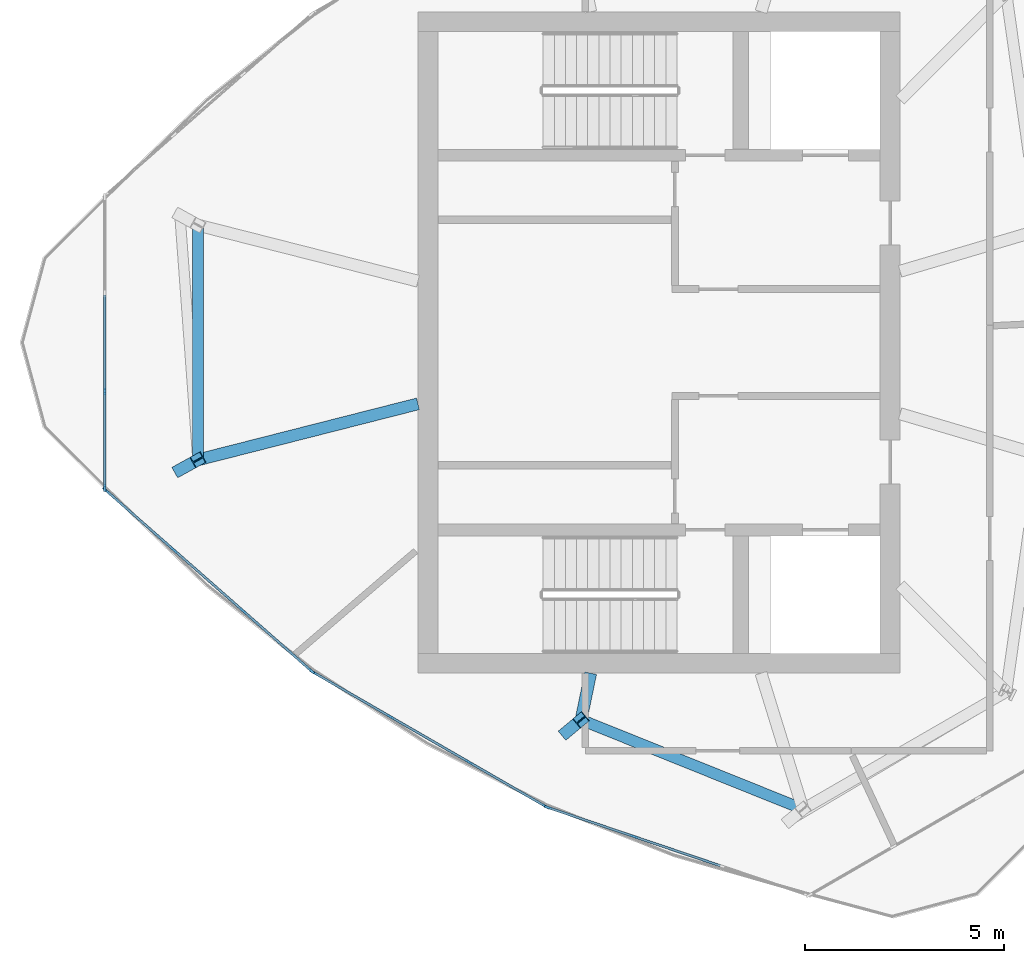
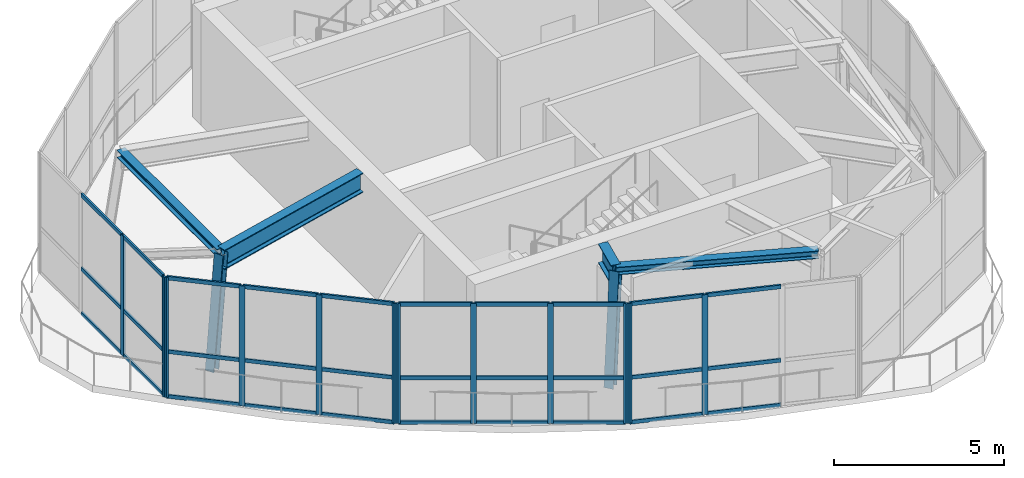
# One storey, part 1 of 10: 46 members, 2 beams, 4 elements without a shape of their own.
"""IFC4 building model written with IfcOpenShell, lengths in metres."""

import ifcopenshell
import ifcopenshell.guid

model = None  # the IFC model being written
_history = None  # IfcOwnerHistory: only IFC2X3 demands one
_inside = {}  # id of a spatial element -> (the spatial element, [elements in it])
_under = {}  # id of a project, library or spatial element -> (it, [spatial elements below it])
_declared = {}  # id of a project -> (the project, [libraries it declares])
_typed = {}  # id of a type object -> (the type object, [elements of that type])
_made_of = {}  # id of a material, layer set ... -> (it, [elements and type objects made of it])


def new_model(schema):
    """Start an empty IFC model of exactly this schema.

    Asked for "IFC4X3", IfcOpenShell would pick the latest addendum, in which some entities
    have other attributes; the version numbers below select the first issue.
    IFC2X3 requires an IfcOwnerHistory on every rooted entity: one is made here for all.
    """
    global model, _history
    if schema == "IFC4X3":
        model = ifcopenshell.file(schema_version=(4, 3, 0, 0))
    else:
        model = ifcopenshell.file(schema=schema)
    _inside.clear()
    _under.clear()
    _declared.clear()
    _typed.clear()
    _made_of.clear()
    _history = None
    if model.schema == "IFC2X3":
        org = make("IfcOrganization", Name="unknown")
        user = make(
            "IfcPersonAndOrganization",
            ThePerson=make("IfcPerson", FamilyName="unknown"),
            TheOrganization=org,
        )
        app = make(
            "IfcApplication",
            ApplicationDeveloper=org,
            Version="unknown",
            ApplicationFullName="unknown",
            ApplicationIdentifier="unknown",
        )
        _history = make(
            "IfcOwnerHistory",
            OwningUser=user,
            OwningApplication=app,
            ChangeAction="ADDED",
            CreationDate=0,
        )
    return model


def make(cls, **values):
    """One entity of the class cls with the attributes given. An attribute that is None is left unset."""
    return model.create_entity(
        cls, **{name: value for name, value in values.items() if value is not None}
    )


def rooted(cls, **values):
    """An entity with a GlobalId (a new one), such as an element, a storey or a relation."""
    return make(cls, GlobalId=ifcopenshell.guid.new(), OwnerHistory=_history, **values)


def si_unit(unit_type, name, prefix=None):
    """IfcSIUnit, for example si_unit("LENGTHUNIT", "METRE", prefix="MILLI")."""
    return make("IfcSIUnit", UnitType=unit_type, Prefix=prefix, Name=name)


def assignment(units):
    """IfcUnitAssignment: the units of a project."""
    return None if units is None else make("IfcUnitAssignment", Units=units)


def point(xyz):
    """IfcCartesianPoint."""
    return None if xyz is None else make("IfcCartesianPoint", Coordinates=xyz)


def direction(xyz):
    """IfcDirection."""
    return None if xyz is None else make("IfcDirection", DirectionRatios=xyz)


def frame(location, z_axis=None, x_axis=None):
    """IfcAxis2Placement3D, a coordinate frame: its origin and axes. An axis left out is left unset."""
    return make(
        "IfcAxis2Placement3D",
        Location=point(location),
        Axis=direction(z_axis),
        RefDirection=direction(x_axis),
    )


def frame_2d(location, x_axis=None):
    """IfcAxis2Placement2D, a coordinate frame in the plane: its origin and x axis."""
    return make(
        "IfcAxis2Placement2D", Location=point(location), RefDirection=direction(x_axis)
    )


def origin():
    """The frame at (0, 0, 0) with its axes left unset."""
    return frame((0.0, 0.0, 0.0))


def origin_2d():
    """The frame at (0, 0) in the plane with its x axis left unset."""
    return frame_2d((0.0, 0.0))


def place(relative_to, where):
    """IfcLocalPlacement: puts the frame where relative to a parent placement (None: the world)."""
    return make(
        "IfcLocalPlacement", PlacementRelTo=relative_to, RelativePlacement=where
    )


def context(
    kind, dimensions, precision=None, world=None, true_north=None, identifier=None
):
    """IfcGeometricRepresentationContext, for example the 3D "Model" context."""
    return make(
        "IfcGeometricRepresentationContext",
        ContextIdentifier=identifier,
        ContextType=kind,
        CoordinateSpaceDimension=dimensions,
        Precision=precision,
        WorldCoordinateSystem=world,
        TrueNorth=true_north,
    )


def subcontext(parent, identifier, kind, view, scale=None):
    """IfcGeometricRepresentationSubContext, for example "Body" below "Model"."""
    return make(
        "IfcGeometricRepresentationSubContext",
        ContextIdentifier=identifier,
        ContextType=kind,
        ParentContext=parent,
        TargetScale=scale,
        TargetView=view,
    )


def project(units=None, contexts=None):
    """IfcProject with its units and contexts."""
    return rooted(
        "IfcProject",
        Name="project",
        RepresentationContexts=contexts,
        UnitsInContext=assignment(units),
    )


def spatial(cls, under=None, at=None, **own):
    """A site, building, storey or space (cls), placed at a placement, below another one or the project."""
    s = rooted(cls, ObjectPlacement=at, **own)
    if under is not None:
        _under.setdefault(under.id(), (under, []))[1].append(s)
    return s


def profile(cls, at=None, kind="AREA", **sizes):
    """A parametric profile (cls). Its sizes go by their IFC names, for example OverallWidth=200.0."""
    return make(cls, ProfileType=kind, Position=at, **sizes)


def rectangle(**sizes):
    """IfcRectangleProfileDef."""
    return profile("IfcRectangleProfileDef", **sizes)


def i_section(**sizes):
    """IfcIShapeProfileDef."""
    return profile("IfcIShapeProfileDef", **sizes)


def extrude(swept, where, along, depth):
    """IfcExtrudedAreaSolid: the profile swept, set in the frame where, extruded along a direction by depth."""
    return make(
        "IfcExtrudedAreaSolid",
        SweptArea=swept,
        Position=where,
        ExtrudedDirection=direction(along),
        Depth=depth,
    )


def shape(context_of_items, identifier, shape_type, items):
    """IfcShapeRepresentation: the items that make up one representation, for example the "Body"."""
    return make(
        "IfcShapeRepresentation",
        ContextOfItems=context_of_items,
        RepresentationIdentifier=identifier,
        RepresentationType=shape_type,
        Items=items,
    )


def source(mapping_origin, context_of_items, identifier, shape_type, items):
    """IfcRepresentationMap: a shape defined once, which mapped items show again and again."""
    return make(
        "IfcRepresentationMap",
        MappingOrigin=mapping_origin,
        MappedRepresentation=shape(context_of_items, identifier, shape_type, items),
    )


def transform(
    local_origin,
    x_axis=None,
    y_axis=None,
    z_axis=None,
    scale=None,
    scale2=None,
    scale3=None,
    uniform=True,
):
    """IfcCartesianTransformationOperator3D, or its non-uniform kind. x_axis, y_axis, z_axis: its Axis1, 2, 3."""
    if uniform:
        return make(
            "IfcCartesianTransformationOperator3D",
            Axis1=direction(x_axis),
            Axis2=direction(y_axis),
            LocalOrigin=point(local_origin),
            Scale=scale,
            Axis3=direction(z_axis),
        )
    return make(
        "IfcCartesianTransformationOperator3DnonUniform",
        Axis1=direction(x_axis),
        Axis2=direction(y_axis),
        LocalOrigin=point(local_origin),
        Scale=scale,
        Axis3=direction(z_axis),
        Scale2=scale2,
        Scale3=scale3,
    )


def mapped(mapping_source, mapping_target):
    """IfcMappedItem: shows the shape of a source again, moved by a transform."""
    return make(
        "IfcMappedItem", MappingSource=mapping_source, MappingTarget=mapping_target
    )


def material(Name=None, Category=None):
    """IfcMaterial."""
    return make("IfcMaterial", Name=Name, Category=Category)


def layer(
    of_material, thickness, ventilated=None, Name=None, Category=None, Priority=None
):
    """IfcMaterialLayer: one layer of a wall or slab, of a material (None: an air gap)."""
    return make(
        "IfcMaterialLayer",
        Material=of_material,
        LayerThickness=thickness,
        IsVentilated=ventilated,
        Name=Name,
        Category=Category,
        Priority=Priority,
    )


def layer_set(layers, Name=None):
    """IfcMaterialLayerSet."""
    return make("IfcMaterialLayerSet", MaterialLayers=layers, LayerSetName=Name)


def material_profile(
    of_material, cross_section, Name=None, Category=None, Priority=None
):
    """IfcMaterialProfile: a cross section and its material."""
    return make(
        "IfcMaterialProfile",
        Name=Name,
        Material=of_material,
        Profile=cross_section,
        Priority=Priority,
        Category=Category,
    )


def profile_set(profiles, Name=None, composite=None):
    """IfcMaterialProfileSet."""
    return make(
        "IfcMaterialProfileSet",
        Name=Name,
        MaterialProfiles=profiles,
        CompositeProfile=composite,
    )


def made_of(thing, what):
    """Note that an element or type object is made of a material, layer set ...; save() writes the relation."""
    if what is not None:
        _made_of.setdefault(what.id(), (what, []))[1].append(thing)
    return thing


def type_object(cls, material=None, **own):
    """A type object (cls), such as IfcWallType, which elements share."""
    return made_of(rooted(cls, **own), material)


def element(
    cls,
    number,
    at=None,
    inside=None,
    cuts=None,
    type_object=None,
    material=None,
    context=None,
    identifier="Body",
    shape_type=None,
    held_by="IfcProductDefinitionShape",
    body=None,
    shapes=None,
    **own,
):
    """One element of the class cls, such as IfcWall. Its Tag is "e" and its number.

    at: its placement. inside: the storey or other place that contains it. cuts: it is an
    opening in that element (IfcRelVoidsElement). A single representation is given by context,
    identifier, shape_type and body (its items); several are given by shapes. held_by: the class
    of the entity that holds the representations. save() writes the other relations.
    """
    e = rooted(cls, Tag="e%d" % number, ObjectPlacement=at, **own)
    if body is not None:
        shapes = [shape(context, identifier, shape_type, body)]
    if shapes is not None:
        e.Representation = make(held_by, Representations=shapes)
    if inside is not None:
        _inside.setdefault(inside.id(), (inside, []))[1].append(e)
    if cuts is not None:
        rooted(
            "IfcRelVoidsElement", RelatingBuildingElement=cuts, RelatedOpeningElement=e
        )
    if type_object is not None:
        _typed.setdefault(type_object.id(), (type_object, []))[1].append(e)
    return made_of(e, material)


def aggregate(whole, parts):
    """IfcRelAggregates: a whole, such as a stair, and the parts it consists of."""
    return rooted("IfcRelAggregates", RelatingObject=whole, RelatedObjects=parts)


def save(model, path):
    """Write the relations noted so far, then the file.

    IfcRelAggregates (storeys below a building ...), IfcRelContainedInSpatialStructure (elements
    in a storey), IfcRelDefinesByType, IfcRelAssociatesMaterial and IfcRelDeclares: one each for
    every whole, place, type object, material and project.
    """
    for whole, parts in _under.values():
        aggregate(whole, parts)
    for where, things in _inside.values():
        rooted(
            "IfcRelContainedInSpatialStructure",
            RelatedElements=things,
            RelatingStructure=where,
        )
    for kind, things in _typed.values():
        rooted("IfcRelDefinesByType", RelatedObjects=things, RelatingType=kind)
    for what, things in _made_of.values():
        rooted("IfcRelAssociatesMaterial", RelatedObjects=things, RelatingMaterial=what)
    for by, libraries in _declared.values():
        rooted("IfcRelDeclares", RelatingContext=by, RelatedDefinitions=libraries)
    model.write(path)


model = new_model("IFC4")

# Units and contexts
model_context = context("Model", 3, precision=1e-05, world=origin(), true_north=direction((0.0, 1.0)))
body_context = subcontext(model_context, "Body", "Model", "MODEL_VIEW")
ifc_project = project(units=[si_unit("LENGTHUNIT", "METRE"), si_unit("AREAUNIT", "SQUARE_METRE"), si_unit("VOLUMEUNIT", "CUBIC_METRE"), si_unit("PLANEANGLEUNIT", "RADIAN"), si_unit("MASSUNIT", "GRAM", prefix="KILO")], contexts=[model_context])

# Site, building, storey
site_placement = place(None, origin())
site = spatial("IfcSite", under=ifc_project, at=site_placement, CompositionType="ELEMENT")
building_placement = place(site_placement, origin())
building = spatial("IfcBuilding", under=site, at=building_placement, Name="Qafzar Sky-Pleat Residences", CompositionType="ELEMENT")
storey_placement = place(building_placement, frame((0.0, 0.0, 270.39990234375)))
storey = spatial("IfcBuildingStorey", under=building, at=storey_placement, Name="L80 Crown", CompositionType="ELEMENT", Elevation=270.39990234375)

# Members
ifc_material_1 = material(Name="Steel S460", Category="steel")
ifc_material_profile_1 = material_profile(ifc_material_1, i_section(OverallWidth=0.300048828125, OverallDepth=0.300048828125, WebThickness=0.010986328125, FlangeThickness=0.01904296875, FilletRadius=0.027099609375, at=origin_2d()), Name="HEB 300")
ifc_profile_set_1 = profile_set([ifc_material_profile_1], Name="Steel S460")
member_type_1 = type_object("IfcMemberType", Name="MEM-CROWN-RIB", PredefinedType="CHORD", material=ifc_profile_set_1)
shared_shape_1 = source(origin(), body_context, "Body", "SweptSolid", [
    extrude(i_section(OverallWidth=0.300048828125, OverallDepth=0.300048828125, WebThickness=0.010986328125, FlangeThickness=0.01904296875, FilletRadius=0.027099609375, at=origin_2d()), origin(), (0.0, 0.0, 1.0), 3.929931640625),
])
member_1_placement = place(storey_placement, frame((18.325927734375, 22.807373046875, 0.0), z_axis=(0.114989295825, 0.063178883768, 0.991355582267), x_axis=(-0.481537005697, 0.876425759631, 0.0)))
element("IfcMember", 1, at=member_1_placement, inside=storey, type_object=member_type_1, Name="L80 Crown CROWN FRAME Inclined Rib 2", PredefinedType="CHORD", context=body_context, shape_type="MappedRepresentation", body=[
    mapped(shared_shape_1, transform((0.0, 0.0, 0.0), x_axis=(1.0, 0.0, 0.0), y_axis=(0.0, 1.0, 0.0), z_axis=(0.0, 0.0, 1.0), scale=1.0)),
])
shared_shape_2 = source(origin(), body_context, "Body", "SweptSolid", [
    extrude(i_section(OverallWidth=0.300048828125, OverallDepth=0.300048828125, WebThickness=0.010986328125, FlangeThickness=0.01904296875, FilletRadius=0.027099609375, at=origin_2d()), origin(), (0.0, 0.0, 1.0), 3.924560546875),
])
member_2_placement = place(storey_placement, frame((28.029541015625, 16.226806640625, 0.0), z_axis=(0.092503281435, 0.077200115844, 0.992715107691), x_axis=(-0.640742862773, 0.767755549511, 0.0)))
element("IfcMember", 2, at=member_2_placement, inside=storey, type_object=member_type_1, Name="L80 Crown CROWN FRAME Inclined Rib 4", PredefinedType="CHORD", context=body_context, shape_type="MappedRepresentation", body=[
    mapped(shared_shape_2, transform((0.0, 0.0, 0.0), x_axis=(1.0, 0.0, 0.0), y_axis=(0.0, 1.0, 0.0), z_axis=(0.0, 0.0, 1.0), scale=1.0)),
])
ifc_material_2 = material(Name="Steel S355", Category="steel")
ifc_material_profile_2 = material_profile(ifc_material_2, i_section(OverallWidth=0.280029296875, OverallDepth=0.280029296875, WebThickness=0.010498046875, FlangeThickness=0.01806640625, FilletRadius=0.02392578125, at=origin_2d()), Name="HEB 280")
ifc_profile_set_2 = profile_set([ifc_material_profile_2], Name="Steel S355")
member_type_2 = type_object("IfcMemberType", Name="MEM-CROWN-RING", PredefinedType="PURLIN", material=ifc_profile_set_2)
shared_shape_3 = source(origin(), body_context, "Body", "SweptSolid", [
    extrude(i_section(OverallWidth=0.280029296875, OverallDepth=0.280029296875, WebThickness=0.010498046875, FlangeThickness=0.01806640625, FilletRadius=0.02392578125, at=origin_2d()), origin(), (0.0, 0.0, 1.0), 5.888671875),
])
member_3_placement = place(storey_placement, frame((18.77783203125, 28.9443359375, 3.906005859375), z_axis=(0.0, -1.0, 0.0), x_axis=(1.0, 0.0, 0.0)))
element("IfcMember", 3, at=member_3_placement, inside=storey, type_object=member_type_2, Name="L80 Crown CROWN FRAME Ring Beam 1", PredefinedType="PURLIN", context=body_context, shape_type="MappedRepresentation", body=[
    mapped(shared_shape_3, transform((0.0, 0.0, 0.0), x_axis=(1.0, 0.0, 0.0), y_axis=(0.0, 1.0, 0.0), z_axis=(0.0, 0.0, 1.0), scale=1.0)),
])
shared_shape_4 = source(origin(), body_context, "Body", "SweptSolid", [
    extrude(i_section(OverallWidth=0.280029296875, OverallDepth=0.280029296875, WebThickness=0.010498046875, FlangeThickness=0.01806640625, FilletRadius=0.02392578125, at=origin_2d()), origin(), (0.0, 0.0, 1.0), 6.00244140625),
])
member_4_placement = place(storey_placement, frame((28.392578125, 16.52978515625, 3.906005859375), z_axis=(0.927725846294, -0.373262312747, 0.0), x_axis=(0.373262312747, 0.927725846294, 0.0)))
element("IfcMember", 4, at=member_4_placement, inside=storey, type_object=member_type_2, Name="L80 Crown CROWN FRAME Ring Beam 4", PredefinedType="PURLIN", context=body_context, shape_type="MappedRepresentation", body=[
    mapped(shared_shape_4, transform((0.0, 0.0, 0.0), x_axis=(1.0, 0.0, 0.0), y_axis=(0.0, 1.0, 0.0), z_axis=(0.0, 0.0, 1.0), scale=1.0)),
])

# Beams
ifc_material_profile_3 = material_profile(ifc_material_1, i_section(OverallWidth=0.300048828125, OverallDepth=0.699951171875, WebThickness=0.01708984375, FlangeThickness=0.031982421875, FilletRadius=0.027099609375, at=origin_2d()), Name="HEB 700")
ifc_profile_set_3 = profile_set([ifc_material_profile_3], Name="Steel S460")
beam_type = type_object("IfcBeamType", Name="BM-CHORD-HEB700", PredefinedType="BEAM", material=ifc_profile_set_3)
shared_shape_5 = source(origin(), body_context, "Body", "SweptSolid", [
    extrude(i_section(OverallWidth=0.300048828125, OverallDepth=0.699951171875, WebThickness=0.01708984375, FlangeThickness=0.031982421875, FilletRadius=0.027099609375, at=origin_2d()), origin(), (0.0, 0.0, 1.0), 5.6982421875),
])
beam_1_placement = place(storey_placement, frame((18.77783203125, 23.0556640625, 3.697998046875), z_axis=(0.969123426461, 0.246576122697, 0.0), x_axis=(-0.246576122697, 0.969123426461, 0.0)))
element("IfcBeam", 5, at=beam_1_placement, inside=storey, type_object=beam_type, Name="L81 Crown Crown Rib Base Transfer Beam 2", PredefinedType="BEAM", context=body_context, shape_type="MappedRepresentation", body=[
    mapped(shared_shape_5, transform((0.0, 0.0, 0.0), x_axis=(1.0, 0.0, 0.0), y_axis=(0.0, 1.0, 0.0), z_axis=(0.0, 0.0, 1.0), scale=1.0)),
])
shared_shape_6 = source(origin(), body_context, "Body", "SweptSolid", [
    extrude(i_section(OverallWidth=0.300048828125, OverallDepth=0.699951171875, WebThickness=0.01708984375, FlangeThickness=0.031982421875, FilletRadius=0.027099609375, at=origin_2d()), origin(), (0.0, 0.0, 1.0), 1.19482421875),
])
beam_2_placement = place(storey_placement, frame((28.392578125, 16.52978515625, 3.697998046875), z_axis=(0.202477234952, 0.979286969854, 0.0), x_axis=(-0.979286969854, 0.202477234952, 0.0)))
element("IfcBeam", 6, at=beam_2_placement, inside=storey, type_object=beam_type, Name="L81 Crown Crown Rib Base Transfer Beam 4", PredefinedType="BEAM", context=body_context, shape_type="MappedRepresentation", body=[
    mapped(shared_shape_6, transform((0.0, 0.0, 0.0), x_axis=(1.0, 0.0, 0.0), y_axis=(0.0, 1.0, 0.0), z_axis=(0.0, 0.0, 1.0), scale=1.0)),
])

# Curtain wall, members
ifc_material_3 = material(Name="Anodised bronze aluminium framing", Category="aluminium")
ifc_layer = layer(ifc_material_3, 0.179931640625)
ifc_layer_set = layer_set([ifc_layer], Name="Anodised bronze aluminium framing")
curtain_wall_type = type_object("IfcCurtainWallType", Name="CW-SYS-06", PredefinedType="NOTDEFINED", material=ifc_layer_set)
curtain_wall_1_placement = place(storey_placement, origin())
curtain_wall_1 = element("IfcCurtainWall", 7, at=curtain_wall_1_placement, inside=storey, type_object=curtain_wall_type, Name="L80 Crown CW-06 Curtain Wall CW-CROWN-05-01", PredefinedType="NOTDEFINED")
ifc_material_4 = material(Name="Anodised bronze aluminium", Category="aluminium")
ifc_material_profile_4 = material_profile(ifc_material_4, rectangle(XDim=0.06005859375, YDim=0.179931640625, at=origin_2d()), Name="ALU MULLION 60x180")
ifc_profile_set_4 = profile_set([ifc_material_profile_4], Name="Anodised bronze aluminium")
member_type_3 = type_object("IfcMemberType", Name="CWM-06", PredefinedType="MULLION", material=ifc_profile_set_4)
shared_shape_7 = source(origin(), body_context, "Body", "SweptSolid", [
    extrude(rectangle(XDim=0.06005859375, YDim=0.179931640625, at=origin_2d()), origin(), (0.0, 0.0, 1.0), 4.300048828125),
])
member_5_placement = place(storey_placement, frame((16.438720703125, 24.772216796875, 0.0), z_axis=(0.0, 0.0, 1.0), x_axis=(1.0, 0.0, 0.0)))
member_5 = element("IfcMember", 8, at=member_5_placement, type_object=member_type_3, Name="CW-06 mullion 3", PredefinedType="MULLION", context=body_context, shape_type="MappedRepresentation", body=[
    mapped(shared_shape_7, transform((0.0, 0.0, 0.0), x_axis=(1.0, 0.0, 0.0), y_axis=(0.0, 1.0, 0.0), z_axis=(0.0, 0.0, 1.0), scale=1.0)),
])
member_6_placement = place(storey_placement, frame((16.438720703125, 22.346435546875, 0.0), z_axis=(0.0, 0.0, 1.0), x_axis=(1.0, 0.0, 0.0)))
member_6 = element("IfcMember", 9, at=member_6_placement, type_object=member_type_3, Name="CW-06 mullion 4", PredefinedType="MULLION", context=body_context, shape_type="MappedRepresentation", body=[
    mapped(shared_shape_7, transform((0.0, 0.0, 0.0), x_axis=(1.0, 0.0, 0.0), y_axis=(0.0, 1.0, 0.0), z_axis=(0.0, 0.0, 1.0), scale=1.0)),
])

curtain_wall_2_placement = place(storey_placement, origin())
curtain_wall_2 = element("IfcCurtainWall", 10, at=curtain_wall_2_placement, inside=storey, type_object=curtain_wall_type, Name="L80 Crown CW-06 Curtain Wall CW-CROWN-05-02", PredefinedType="NOTDEFINED")
member_7_placement = place(storey_placement, frame((16.46142578125, 22.296630859375, 0.0), z_axis=(0.0, 0.0, 1.0), x_axis=(0.660131871965, 0.751149726497, 0.0)))
member_7 = element("IfcMember", 11, at=member_7_placement, type_object=member_type_3, Name="CW-06 mullion 1", PredefinedType="MULLION", context=body_context, shape_type="MappedRepresentation", body=[
    mapped(shared_shape_7, transform((0.0, 0.0, 0.0), x_axis=(1.0, 0.0, 0.0), y_axis=(0.0, 1.0, 0.0), z_axis=(0.0, 0.0, 1.0), scale=1.0)),
])
member_8_placement = place(storey_placement, frame((18.174560546875, 20.791015625, 0.0), z_axis=(0.0, 0.0, 1.0), x_axis=(0.660131871965, 0.751149726497, 0.0)))
member_8 = element("IfcMember", 12, at=member_8_placement, type_object=member_type_3, Name="CW-06 mullion 2", PredefinedType="MULLION", context=body_context, shape_type="MappedRepresentation", body=[
    mapped(shared_shape_7, transform((0.0, 0.0, 0.0), x_axis=(1.0, 0.0, 0.0), y_axis=(0.0, 1.0, 0.0), z_axis=(0.0, 0.0, 1.0), scale=1.0)),
])
member_9_placement = place(storey_placement, frame((19.910400390625, 19.265380859375, 0.0), z_axis=(0.0, 0.0, 1.0), x_axis=(0.660131871965, 0.751149726497, 0.0)))
member_9 = element("IfcMember", 13, at=member_9_placement, type_object=member_type_3, Name="CW-06 mullion 3", PredefinedType="MULLION", context=body_context, shape_type="MappedRepresentation", body=[
    mapped(shared_shape_7, transform((0.0, 0.0, 0.0), x_axis=(1.0, 0.0, 0.0), y_axis=(0.0, 1.0, 0.0), z_axis=(0.0, 0.0, 1.0), scale=1.0)),
])
member_10_placement = place(storey_placement, frame((21.623779296875, 17.759765625, 0.0), z_axis=(0.0, 0.0, 1.0), x_axis=(0.660131871965, 0.751149726497, 0.0)))
member_10 = element("IfcMember", 14, at=member_10_placement, type_object=member_type_3, Name="CW-06 mullion 4", PredefinedType="MULLION", context=body_context, shape_type="MappedRepresentation", body=[
    mapped(shared_shape_7, transform((0.0, 0.0, 0.0), x_axis=(1.0, 0.0, 0.0), y_axis=(0.0, 1.0, 0.0), z_axis=(0.0, 0.0, 1.0), scale=1.0)),
])

curtain_wall_3_placement = place(storey_placement, origin())
curtain_wall_3 = element("IfcCurtainWall", 15, at=curtain_wall_3_placement, inside=storey, type_object=curtain_wall_type, Name="L80 Crown CW-06 Curtain Wall CW-CROWN-05-03", PredefinedType="NOTDEFINED")
member_11_placement = place(storey_placement, frame((21.67236328125, 17.72509765625, 0.0), z_axis=(0.0, 0.0, 1.0), x_axis=(0.500002592159, 0.866023907196, 0.0)))
member_11 = element("IfcMember", 16, at=member_11_placement, type_object=member_type_3, Name="CW-06 mullion 1", PredefinedType="MULLION", context=body_context, shape_type="MappedRepresentation", body=[
    mapped(shared_shape_7, transform((0.0, 0.0, 0.0), x_axis=(1.0, 0.0, 0.0), y_axis=(0.0, 1.0, 0.0), z_axis=(0.0, 0.0, 1.0), scale=1.0)),
])
member_12_placement = place(storey_placement, frame((23.608642578125, 16.60693359375, 0.0), z_axis=(0.0, 0.0, 1.0), x_axis=(0.500002592159, 0.866023907196, 0.0)))
member_12 = element("IfcMember", 17, at=member_12_placement, type_object=member_type_3, Name="CW-06 mullion 2", PredefinedType="MULLION", context=body_context, shape_type="MappedRepresentation", body=[
    mapped(shared_shape_7, transform((0.0, 0.0, 0.0), x_axis=(1.0, 0.0, 0.0), y_axis=(0.0, 1.0, 0.0), z_axis=(0.0, 0.0, 1.0), scale=1.0)),
])
member_13_placement = place(storey_placement, frame((25.571044921875, 15.47412109375, 0.0), z_axis=(0.0, 0.0, 1.0), x_axis=(0.500002592159, 0.866023907196, 0.0)))
member_13 = element("IfcMember", 18, at=member_13_placement, type_object=member_type_3, Name="CW-06 mullion 3", PredefinedType="MULLION", context=body_context, shape_type="MappedRepresentation", body=[
    mapped(shared_shape_7, transform((0.0, 0.0, 0.0), x_axis=(1.0, 0.0, 0.0), y_axis=(0.0, 1.0, 0.0), z_axis=(0.0, 0.0, 1.0), scale=1.0)),
])
member_14_placement = place(storey_placement, frame((27.507568359375, 14.35595703125, 0.0), z_axis=(0.0, 0.0, 1.0), x_axis=(0.500002592159, 0.866023907196, 0.0)))
member_14 = element("IfcMember", 19, at=member_14_placement, type_object=member_type_3, Name="CW-06 mullion 4", PredefinedType="MULLION", context=body_context, shape_type="MappedRepresentation", body=[
    mapped(shared_shape_7, transform((0.0, 0.0, 0.0), x_axis=(1.0, 0.0, 0.0), y_axis=(0.0, 1.0, 0.0), z_axis=(0.0, 0.0, 1.0), scale=1.0)),
])

curtain_wall_4_placement = place(storey_placement, origin())
curtain_wall_4 = element("IfcCurtainWall", 20, at=curtain_wall_4_placement, inside=storey, type_object=curtain_wall_type, Name="L80 Crown CW-06 Curtain Wall CW-CROWN-05-04", PredefinedType="NOTDEFINED")
member_15_placement = place(storey_placement, frame((27.56201171875, 14.331298828125, 0.0), z_axis=(0.0, 0.0, 1.0), x_axis=(0.320439473508, 0.947268992324, 0.0)))
member_15 = element("IfcMember", 21, at=member_15_placement, type_object=member_type_3, Name="CW-06 mullion 1", PredefinedType="MULLION", context=body_context, shape_type="MappedRepresentation", body=[
    mapped(shared_shape_7, transform((0.0, 0.0, 0.0), x_axis=(1.0, 0.0, 0.0), y_axis=(0.0, 1.0, 0.0), z_axis=(0.0, 0.0, 1.0), scale=1.0)),
])
member_16_placement = place(storey_placement, frame((29.722412109375, 13.6005859375, 0.0), z_axis=(0.0, 0.0, 1.0), x_axis=(0.320439473508, 0.947268992324, 0.0)))
member_16 = element("IfcMember", 22, at=member_16_placement, type_object=member_type_3, Name="CW-06 mullion 2", PredefinedType="MULLION", context=body_context, shape_type="MappedRepresentation", body=[
    mapped(shared_shape_7, transform((0.0, 0.0, 0.0), x_axis=(1.0, 0.0, 0.0), y_axis=(0.0, 1.0, 0.0), z_axis=(0.0, 0.0, 1.0), scale=1.0)),
])

# Member
ifc_material_profile_5 = material_profile(ifc_material_4, rectangle(XDim=0.06005859375, YDim=0.135009765625, at=origin_2d()), Name="ALU TRANSOM 60x135")
ifc_profile_set_5 = profile_set([ifc_material_profile_5], Name="Anodised bronze aluminium")
member_type_4 = type_object("IfcMemberType", Name="CWT-06", PredefinedType="USERDEFINED", material=ifc_profile_set_5)
shared_shape_8 = source(origin(), body_context, "Body", "SweptSolid", [
    extrude(rectangle(XDim=0.06005859375, YDim=0.135009765625, at=origin_2d()), origin(), (0.0, 0.0, 1.0), 2.36572265625),
])
member_17_placement = place(storey_placement, frame((16.438720703125, 24.7421875, 0.030029296875), z_axis=(0.0, -1.0, 0.0), x_axis=(1.0, 0.0, 0.0)))
member_17 = element("IfcMember", 23, at=member_17_placement, type_object=member_type_4, Name="CW-06 transom 3.1", ObjectType="TRANSOM", PredefinedType="USERDEFINED", context=body_context, shape_type="MappedRepresentation", body=[
    mapped(shared_shape_8, transform((0.0, 0.0, 0.0), x_axis=(1.0, 0.0, 0.0), y_axis=(0.0, 1.0, 0.0), z_axis=(0.0, 0.0, 1.0), scale=1.0)),
])

member_18_placement = place(storey_placement, frame((16.438720703125, 24.7421875, 1.634033203125), z_axis=(0.0, -1.0, 0.0), x_axis=(1.0, 0.0, 0.0)))
member_18 = element("IfcMember", 24, at=member_18_placement, type_object=member_type_4, Name="CW-06 transom 3.2", ObjectType="TRANSOM", PredefinedType="USERDEFINED", context=body_context, shape_type="MappedRepresentation", body=[
    mapped(shared_shape_8, transform((0.0, 0.0, 0.0), x_axis=(1.0, 0.0, 0.0), y_axis=(0.0, 1.0, 0.0), z_axis=(0.0, 0.0, 1.0), scale=1.0)),
])

member_19_placement = place(storey_placement, frame((16.438720703125, 24.7421875, 4.27001953125), z_axis=(0.0, -1.0, 0.0), x_axis=(1.0, 0.0, 0.0)))
member_19 = element("IfcMember", 25, at=member_19_placement, type_object=member_type_4, Name="CW-06 transom 3.3", ObjectType="TRANSOM", PredefinedType="USERDEFINED", context=body_context, shape_type="MappedRepresentation", body=[
    mapped(shared_shape_8, transform((0.0, 0.0, 0.0), x_axis=(1.0, 0.0, 0.0), y_axis=(0.0, 1.0, 0.0), z_axis=(0.0, 0.0, 1.0), scale=1.0)),
])

shared_shape_9 = source(origin(), body_context, "Body", "SweptSolid", [
    extrude(rectangle(XDim=0.06005859375, YDim=0.135009765625, at=origin_2d()), origin(), (0.0, 0.0, 1.0), 2.3955078125),
])
member_20_placement = place(storey_placement, frame((16.438720703125, 27.19775390625, 0.030029296875), z_axis=(0.0, -1.0, 0.0), x_axis=(1.0, 0.0, 0.0)))
member_20 = element("IfcMember", 26, at=member_20_placement, type_object=member_type_4, Name="CW-06 transom 2.1", ObjectType="TRANSOM", PredefinedType="USERDEFINED", context=body_context, shape_type="MappedRepresentation", body=[
    mapped(shared_shape_9, transform((0.0, 0.0, 0.0), x_axis=(1.0, 0.0, 0.0), y_axis=(0.0, 1.0, 0.0), z_axis=(0.0, 0.0, 1.0), scale=1.0)),
])

member_21_placement = place(storey_placement, frame((16.438720703125, 27.19775390625, 1.634033203125), z_axis=(0.0, -1.0, 0.0), x_axis=(1.0, 0.0, 0.0)))
member_21 = element("IfcMember", 27, at=member_21_placement, type_object=member_type_4, Name="CW-06 transom 2.2", ObjectType="TRANSOM", PredefinedType="USERDEFINED", context=body_context, shape_type="MappedRepresentation", body=[
    mapped(shared_shape_9, transform((0.0, 0.0, 0.0), x_axis=(1.0, 0.0, 0.0), y_axis=(0.0, 1.0, 0.0), z_axis=(0.0, 0.0, 1.0), scale=1.0)),
])

member_22_placement = place(storey_placement, frame((16.438720703125, 27.19775390625, 4.27001953125), z_axis=(0.0, -1.0, 0.0), x_axis=(1.0, 0.0, 0.0)))
member_22 = element("IfcMember", 28, at=member_22_placement, type_object=member_type_4, Name="CW-06 transom 2.3", ObjectType="TRANSOM", PredefinedType="USERDEFINED", context=body_context, shape_type="MappedRepresentation", body=[
    mapped(shared_shape_9, transform((0.0, 0.0, 0.0), x_axis=(1.0, 0.0, 0.0), y_axis=(0.0, 1.0, 0.0), z_axis=(0.0, 0.0, 1.0), scale=1.0)),
])

aggregate(curtain_wall_1, [member_5, member_6, member_20, member_21, member_22, member_17, member_18, member_19])

shared_shape_10 = source(origin(), body_context, "Body", "SweptSolid", [
    extrude(rectangle(XDim=0.06005859375, YDim=0.135009765625, at=origin_2d()), origin(), (0.0, 0.0, 1.0), 2.220947265625),
])
member_23_placement = place(storey_placement, frame((16.48388671875, 22.27685546875, 0.030029296875), z_axis=(0.751151683916, -0.660129644653, 0.0), x_axis=(0.660129644653, 0.751151683916, 0.0)))
member_23 = element("IfcMember", 29, at=member_23_placement, type_object=member_type_4, Name="CW-06 transom 1.1", ObjectType="TRANSOM", PredefinedType="USERDEFINED", context=body_context, shape_type="MappedRepresentation", body=[
    mapped(shared_shape_10, transform((0.0, 0.0, 0.0), x_axis=(1.0, 0.0, 0.0), y_axis=(0.0, 1.0, 0.0), z_axis=(0.0, 0.0, 1.0), scale=1.0)),
])

member_24_placement = place(storey_placement, frame((16.48388671875, 22.27685546875, 1.634033203125), z_axis=(0.751151683916, -0.660129644653, 0.0), x_axis=(0.660129644653, 0.751151683916, 0.0)))
member_24 = element("IfcMember", 30, at=member_24_placement, type_object=member_type_4, Name="CW-06 transom 1.2", ObjectType="TRANSOM", PredefinedType="USERDEFINED", context=body_context, shape_type="MappedRepresentation", body=[
    mapped(shared_shape_10, transform((0.0, 0.0, 0.0), x_axis=(1.0, 0.0, 0.0), y_axis=(0.0, 1.0, 0.0), z_axis=(0.0, 0.0, 1.0), scale=1.0)),
])

member_25_placement = place(storey_placement, frame((16.48388671875, 22.27685546875, 4.27001953125), z_axis=(0.751151683916, -0.660129644653, 0.0), x_axis=(0.660129644653, 0.751151683916, 0.0)))
member_25 = element("IfcMember", 31, at=member_25_placement, type_object=member_type_4, Name="CW-06 transom 1.3", ObjectType="TRANSOM", PredefinedType="USERDEFINED", context=body_context, shape_type="MappedRepresentation", body=[
    mapped(shared_shape_10, transform((0.0, 0.0, 0.0), x_axis=(1.0, 0.0, 0.0), y_axis=(0.0, 1.0, 0.0), z_axis=(0.0, 0.0, 1.0), scale=1.0)),
])

member_26_placement = place(storey_placement, frame((19.93310546875, 19.24560546875, 0.030029296875), z_axis=(0.751151683916, -0.660129644653, 0.0), x_axis=(0.660129644653, 0.751151683916, 0.0)))
member_26 = element("IfcMember", 32, at=member_26_placement, type_object=member_type_4, Name="CW-06 transom 3.1", ObjectType="TRANSOM", PredefinedType="USERDEFINED", context=body_context, shape_type="MappedRepresentation", body=[
    mapped(shared_shape_10, transform((0.0, 0.0, 0.0), x_axis=(1.0, 0.0, 0.0), y_axis=(0.0, 1.0, 0.0), z_axis=(0.0, 0.0, 1.0), scale=1.0)),
])

member_27_placement = place(storey_placement, frame((19.93310546875, 19.24560546875, 1.634033203125), z_axis=(0.751151683916, -0.660129644653, 0.0), x_axis=(0.660129644653, 0.751151683916, 0.0)))
member_27 = element("IfcMember", 33, at=member_27_placement, type_object=member_type_4, Name="CW-06 transom 3.2", ObjectType="TRANSOM", PredefinedType="USERDEFINED", context=body_context, shape_type="MappedRepresentation", body=[
    mapped(shared_shape_10, transform((0.0, 0.0, 0.0), x_axis=(1.0, 0.0, 0.0), y_axis=(0.0, 1.0, 0.0), z_axis=(0.0, 0.0, 1.0), scale=1.0)),
])

member_28_placement = place(storey_placement, frame((19.93310546875, 19.24560546875, 4.27001953125), z_axis=(0.751151683916, -0.660129644653, 0.0), x_axis=(0.660129644653, 0.751151683916, 0.0)))
member_28 = element("IfcMember", 34, at=member_28_placement, type_object=member_type_4, Name="CW-06 transom 3.3", ObjectType="TRANSOM", PredefinedType="USERDEFINED", context=body_context, shape_type="MappedRepresentation", body=[
    mapped(shared_shape_10, transform((0.0, 0.0, 0.0), x_axis=(1.0, 0.0, 0.0), y_axis=(0.0, 1.0, 0.0), z_axis=(0.0, 0.0, 1.0), scale=1.0)),
])

member_29_placement = place(storey_placement, frame((27.59033203125, 14.32177734375, 0.030029296875), z_axis=(0.947266802328, -0.320445947405, 0.0), x_axis=(0.320445947405, 0.947266802328, 0.0)))
member_29 = element("IfcMember", 35, at=member_29_placement, type_object=member_type_4, Name="CW-06 transom 1.1", ObjectType="TRANSOM", PredefinedType="USERDEFINED", context=body_context, shape_type="MappedRepresentation", body=[
    mapped(shared_shape_10, transform((0.0, 0.0, 0.0), x_axis=(1.0, 0.0, 0.0), y_axis=(0.0, 1.0, 0.0), z_axis=(0.0, 0.0, 1.0), scale=1.0)),
])

member_30_placement = place(storey_placement, frame((27.59033203125, 14.32177734375, 1.634033203125), z_axis=(0.947266802328, -0.320445947405, 0.0), x_axis=(0.320445947405, 0.947266802328, 0.0)))
member_30 = element("IfcMember", 36, at=member_30_placement, type_object=member_type_4, Name="CW-06 transom 1.2", ObjectType="TRANSOM", PredefinedType="USERDEFINED", context=body_context, shape_type="MappedRepresentation", body=[
    mapped(shared_shape_10, transform((0.0, 0.0, 0.0), x_axis=(1.0, 0.0, 0.0), y_axis=(0.0, 1.0, 0.0), z_axis=(0.0, 0.0, 1.0), scale=1.0)),
])

member_31_placement = place(storey_placement, frame((27.59033203125, 14.32177734375, 4.27001953125), z_axis=(0.947266802328, -0.320445947405, 0.0), x_axis=(0.320445947405, 0.947266802328, 0.0)))
member_31 = element("IfcMember", 37, at=member_31_placement, type_object=member_type_4, Name="CW-06 transom 1.3", ObjectType="TRANSOM", PredefinedType="USERDEFINED", context=body_context, shape_type="MappedRepresentation", body=[
    mapped(shared_shape_10, transform((0.0, 0.0, 0.0), x_axis=(1.0, 0.0, 0.0), y_axis=(0.0, 1.0, 0.0), z_axis=(0.0, 0.0, 1.0), scale=1.0)),
])

shared_shape_11 = source(origin(), body_context, "Body", "SweptSolid", [
    extrude(rectangle(XDim=0.06005859375, YDim=0.135009765625, at=origin_2d()), origin(), (0.0, 0.0, 1.0), 2.250732421875),
])
member_32_placement = place(storey_placement, frame((18.197265625, 20.771240234375, 0.030029296875), z_axis=(0.751143710193, -0.660138717723, 0.0), x_axis=(0.660138717723, 0.751143710193, 0.0)))
member_32 = element("IfcMember", 38, at=member_32_placement, type_object=member_type_4, Name="CW-06 transom 2.1", ObjectType="TRANSOM", PredefinedType="USERDEFINED", context=body_context, shape_type="MappedRepresentation", body=[
    mapped(shared_shape_11, transform((0.0, 0.0, 0.0), x_axis=(1.0, 0.0, 0.0), y_axis=(0.0, 1.0, 0.0), z_axis=(0.0, 0.0, 1.0), scale=1.0)),
])

member_33_placement = place(storey_placement, frame((18.197265625, 20.771240234375, 1.634033203125), z_axis=(0.751143710193, -0.660138717723, 0.0), x_axis=(0.660138717723, 0.751143710193, 0.0)))
member_33 = element("IfcMember", 39, at=member_33_placement, type_object=member_type_4, Name="CW-06 transom 2.2", ObjectType="TRANSOM", PredefinedType="USERDEFINED", context=body_context, shape_type="MappedRepresentation", body=[
    mapped(shared_shape_11, transform((0.0, 0.0, 0.0), x_axis=(1.0, 0.0, 0.0), y_axis=(0.0, 1.0, 0.0), z_axis=(0.0, 0.0, 1.0), scale=1.0)),
])

member_34_placement = place(storey_placement, frame((18.197265625, 20.771240234375, 4.27001953125), z_axis=(0.751143710193, -0.660138717723, 0.0), x_axis=(0.660138717723, 0.751143710193, 0.0)))
member_34 = element("IfcMember", 40, at=member_34_placement, type_object=member_type_4, Name="CW-06 transom 2.3", ObjectType="TRANSOM", PredefinedType="USERDEFINED", context=body_context, shape_type="MappedRepresentation", body=[
    mapped(shared_shape_11, transform((0.0, 0.0, 0.0), x_axis=(1.0, 0.0, 0.0), y_axis=(0.0, 1.0, 0.0), z_axis=(0.0, 0.0, 1.0), scale=1.0)),
])

aggregate(curtain_wall_2, [member_7, member_8, member_9, member_10, member_23, member_24, member_25, member_32, member_33, member_34, member_26, member_27, member_28])

member_35_placement = place(storey_placement, frame((29.7509765625, 13.5908203125, 0.030029296875), z_axis=(0.947274738372, -0.320422486792, 0.0), x_axis=(0.320422486792, 0.947274738372, 0.0)))
member_35 = element("IfcMember", 41, at=member_35_placement, type_object=member_type_4, Name="CW-06 transom 2.1", ObjectType="TRANSOM", PredefinedType="USERDEFINED", context=body_context, shape_type="MappedRepresentation", body=[
    mapped(shared_shape_11, transform((0.0, 0.0, 0.0), x_axis=(1.0, 0.0, 0.0), y_axis=(0.0, 1.0, 0.0), z_axis=(0.0, 0.0, 1.0), scale=1.0)),
])

member_36_placement = place(storey_placement, frame((29.7509765625, 13.5908203125, 1.634033203125), z_axis=(0.947274738372, -0.320422486792, 0.0), x_axis=(0.320422486792, 0.947274738372, 0.0)))
member_36 = element("IfcMember", 42, at=member_36_placement, type_object=member_type_4, Name="CW-06 transom 2.2", ObjectType="TRANSOM", PredefinedType="USERDEFINED", context=body_context, shape_type="MappedRepresentation", body=[
    mapped(shared_shape_11, transform((0.0, 0.0, 0.0), x_axis=(1.0, 0.0, 0.0), y_axis=(0.0, 1.0, 0.0), z_axis=(0.0, 0.0, 1.0), scale=1.0)),
])

member_37_placement = place(storey_placement, frame((29.7509765625, 13.5908203125, 4.27001953125), z_axis=(0.947274738372, -0.320422486792, 0.0), x_axis=(0.320422486792, 0.947274738372, 0.0)))
member_37 = element("IfcMember", 43, at=member_37_placement, type_object=member_type_4, Name="CW-06 transom 2.3", ObjectType="TRANSOM", PredefinedType="USERDEFINED", context=body_context, shape_type="MappedRepresentation", body=[
    mapped(shared_shape_11, transform((0.0, 0.0, 0.0), x_axis=(1.0, 0.0, 0.0), y_axis=(0.0, 1.0, 0.0), z_axis=(0.0, 0.0, 1.0), scale=1.0)),
])

aggregate(curtain_wall_4, [member_15, member_16, member_29, member_30, member_31, member_35, member_36, member_37])

shared_shape_12 = source(origin(), body_context, "Body", "SweptSolid", [
    extrude(rectangle(XDim=0.06005859375, YDim=0.135009765625, at=origin_2d()), origin(), (0.0, 0.0, 1.0), 2.176025390625),
])
member_38_placement = place(storey_placement, frame((21.6982421875, 17.7099609375, 0.030029296875), z_axis=(0.866052935793, -0.49995231013, 0.0), x_axis=(0.49995231013, 0.866052935793, 0.0)))
member_38 = element("IfcMember", 44, at=member_38_placement, type_object=member_type_4, Name="CW-06 transom 1.1", ObjectType="TRANSOM", PredefinedType="USERDEFINED", context=body_context, shape_type="MappedRepresentation", body=[
    mapped(shared_shape_12, transform((0.0, 0.0, 0.0), x_axis=(1.0, 0.0, 0.0), y_axis=(0.0, 1.0, 0.0), z_axis=(0.0, 0.0, 1.0), scale=1.0)),
])

member_39_placement = place(storey_placement, frame((21.6982421875, 17.7099609375, 1.634033203125), z_axis=(0.866052935793, -0.49995231013, 0.0), x_axis=(0.49995231013, 0.866052935793, 0.0)))
member_39 = element("IfcMember", 45, at=member_39_placement, type_object=member_type_4, Name="CW-06 transom 1.2", ObjectType="TRANSOM", PredefinedType="USERDEFINED", context=body_context, shape_type="MappedRepresentation", body=[
    mapped(shared_shape_12, transform((0.0, 0.0, 0.0), x_axis=(1.0, 0.0, 0.0), y_axis=(0.0, 1.0, 0.0), z_axis=(0.0, 0.0, 1.0), scale=1.0)),
])

member_40_placement = place(storey_placement, frame((21.6982421875, 17.7099609375, 4.27001953125), z_axis=(0.866052935793, -0.49995231013, 0.0), x_axis=(0.49995231013, 0.866052935793, 0.0)))
member_40 = element("IfcMember", 46, at=member_40_placement, type_object=member_type_4, Name="CW-06 transom 1.3", ObjectType="TRANSOM", PredefinedType="USERDEFINED", context=body_context, shape_type="MappedRepresentation", body=[
    mapped(shared_shape_12, transform((0.0, 0.0, 0.0), x_axis=(1.0, 0.0, 0.0), y_axis=(0.0, 1.0, 0.0), z_axis=(0.0, 0.0, 1.0), scale=1.0)),
])

shared_shape_13 = source(origin(), body_context, "Body", "SweptSolid", [
    extrude(rectangle(XDim=0.06005859375, YDim=0.135009765625, at=origin_2d()), origin(), (0.0, 0.0, 1.0), 2.2060546875),
])
member_41_placement = place(storey_placement, frame((23.634765625, 16.592041015625, 0.030029296875), z_axis=(0.866014182773, -0.500019434859, 0.0), x_axis=(0.500019434859, 0.866014182773, 0.0)))
member_41 = element("IfcMember", 47, at=member_41_placement, type_object=member_type_4, Name="CW-06 transom 2.1", ObjectType="TRANSOM", PredefinedType="USERDEFINED", context=body_context, shape_type="MappedRepresentation", body=[
    mapped(shared_shape_13, transform((0.0, 0.0, 0.0), x_axis=(1.0, 0.0, 0.0), y_axis=(0.0, 1.0, 0.0), z_axis=(0.0, 0.0, 1.0), scale=1.0)),
])

member_42_placement = place(storey_placement, frame((23.634765625, 16.592041015625, 1.634033203125), z_axis=(0.866014182773, -0.500019434859, 0.0), x_axis=(0.500019434859, 0.866014182773, 0.0)))
member_42 = element("IfcMember", 48, at=member_42_placement, type_object=member_type_4, Name="CW-06 transom 2.2", ObjectType="TRANSOM", PredefinedType="USERDEFINED", context=body_context, shape_type="MappedRepresentation", body=[
    mapped(shared_shape_13, transform((0.0, 0.0, 0.0), x_axis=(1.0, 0.0, 0.0), y_axis=(0.0, 1.0, 0.0), z_axis=(0.0, 0.0, 1.0), scale=1.0)),
])

member_43_placement = place(storey_placement, frame((23.634765625, 16.592041015625, 4.27001953125), z_axis=(0.866014182773, -0.500019434859, 0.0), x_axis=(0.500019434859, 0.866014182773, 0.0)))
member_43 = element("IfcMember", 49, at=member_43_placement, type_object=member_type_4, Name="CW-06 transom 2.3", ObjectType="TRANSOM", PredefinedType="USERDEFINED", context=body_context, shape_type="MappedRepresentation", body=[
    mapped(shared_shape_13, transform((0.0, 0.0, 0.0), x_axis=(1.0, 0.0, 0.0), y_axis=(0.0, 1.0, 0.0), z_axis=(0.0, 0.0, 1.0), scale=1.0)),
])

shared_shape_14 = source(origin(), body_context, "Body", "SweptSolid", [
    extrude(rectangle(XDim=0.06005859375, YDim=0.135009765625, at=origin_2d()), origin(), (0.0, 0.0, 1.0), 2.17578125),
])
member_44_placement = place(storey_placement, frame((25.59716796875, 15.458984375, 0.030029296875), z_axis=(0.866024887666, -0.500000893942, 0.0), x_axis=(0.500000893942, 0.866024887666, 0.0)))
member_44 = element("IfcMember", 50, at=member_44_placement, type_object=member_type_4, Name="CW-06 transom 3.1", ObjectType="TRANSOM", PredefinedType="USERDEFINED", context=body_context, shape_type="MappedRepresentation", body=[
    mapped(shared_shape_14, transform((0.0, 0.0, 0.0), x_axis=(1.0, 0.0, 0.0), y_axis=(0.0, 1.0, 0.0), z_axis=(0.0, 0.0, 1.0), scale=1.0)),
])

member_45_placement = place(storey_placement, frame((25.59716796875, 15.458984375, 1.634033203125), z_axis=(0.866024887666, -0.500000893942, 0.0), x_axis=(0.500000893942, 0.866024887666, 0.0)))
member_45 = element("IfcMember", 51, at=member_45_placement, type_object=member_type_4, Name="CW-06 transom 3.2", ObjectType="TRANSOM", PredefinedType="USERDEFINED", context=body_context, shape_type="MappedRepresentation", body=[
    mapped(shared_shape_14, transform((0.0, 0.0, 0.0), x_axis=(1.0, 0.0, 0.0), y_axis=(0.0, 1.0, 0.0), z_axis=(0.0, 0.0, 1.0), scale=1.0)),
])

member_46_placement = place(storey_placement, frame((25.59716796875, 15.458984375, 4.27001953125), z_axis=(0.866024887666, -0.500000893942, 0.0), x_axis=(0.500000893942, 0.866024887666, 0.0)))
member_46 = element("IfcMember", 52, at=member_46_placement, type_object=member_type_4, Name="CW-06 transom 3.3", ObjectType="TRANSOM", PredefinedType="USERDEFINED", context=body_context, shape_type="MappedRepresentation", body=[
    mapped(shared_shape_14, transform((0.0, 0.0, 0.0), x_axis=(1.0, 0.0, 0.0), y_axis=(0.0, 1.0, 0.0), z_axis=(0.0, 0.0, 1.0), scale=1.0)),
])

aggregate(curtain_wall_3, [member_11, member_12, member_13, member_14, member_38, member_39, member_40, member_41, member_42, member_43, member_44, member_45, member_46])

save(model, "model.ifc")
